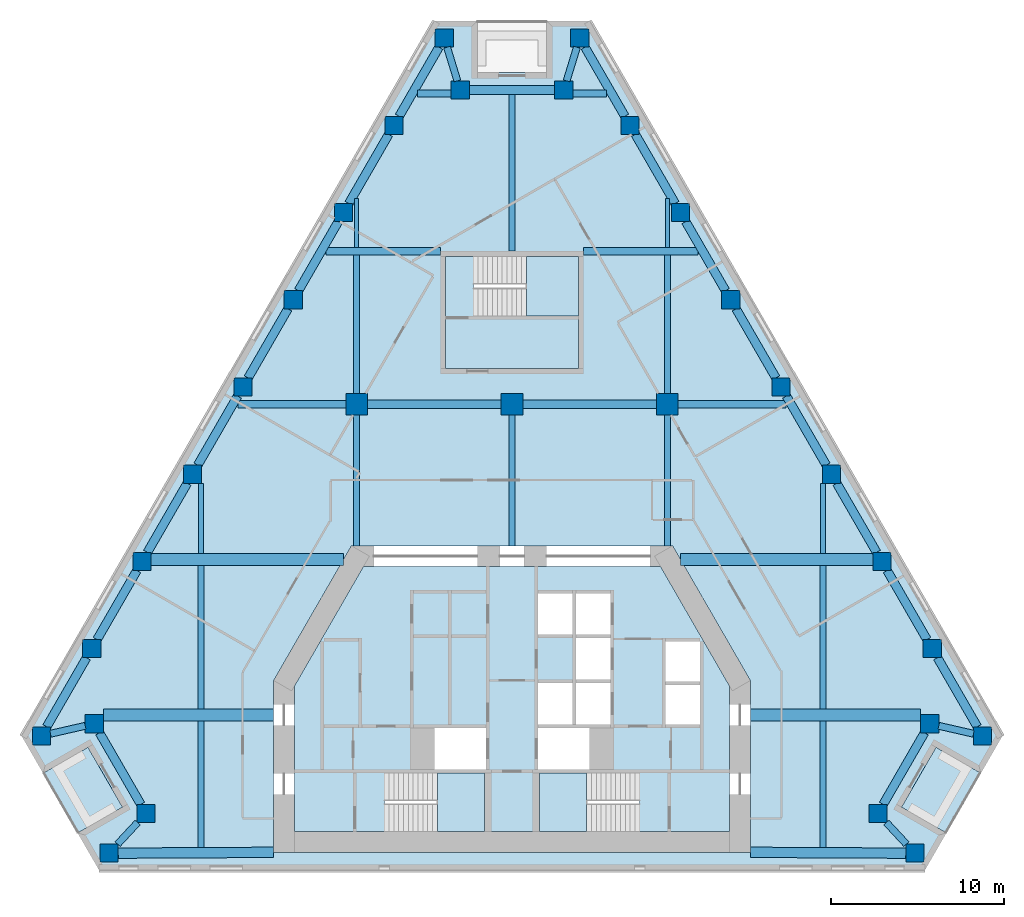
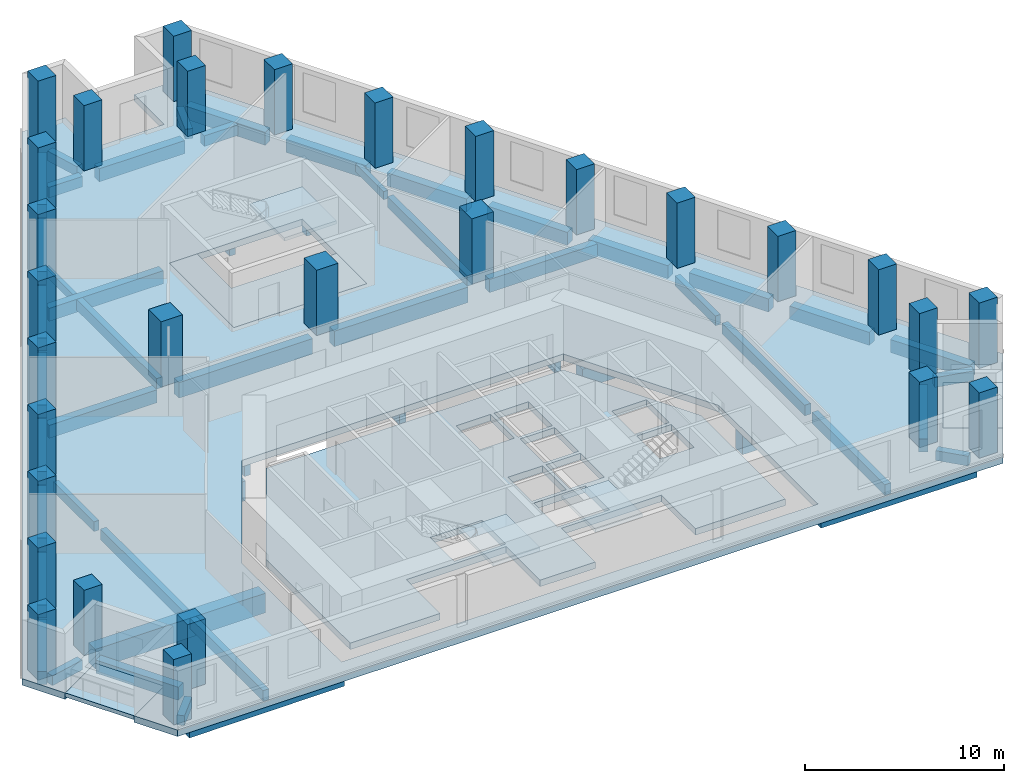
# One storey, part 1 of 7: 53 beams, 29 columns, 8 slabs, 3 elements without a shape of their own.
"""IFC4 building model written with IfcOpenShell, lengths in metres."""

from ifc_helpers import new_model, si_unit, direction, frame, origin, origin_2d, place, context, subcontext, project, spatial, polyline, rectangle, outline, extrude, material, layer, layer_set, material_profile, profile_set, type_object, element, aggregate, save


model = new_model("IFC4")

# Units and contexts
model_context = context("Model", 3, precision=1e-05, world=origin(), true_north=direction((0.0, 1.0)))
body_context = subcontext(model_context, "Body", "Model", "MODEL_VIEW")
ifc_project = project(units=[si_unit("LENGTHUNIT", "METRE"), si_unit("AREAUNIT", "SQUARE_METRE"), si_unit("VOLUMEUNIT", "CUBIC_METRE"), si_unit("PLANEANGLEUNIT", "RADIAN"), si_unit("MASSUNIT", "GRAM", prefix="KILO")], contexts=[model_context])

# Site, building, storey
site_placement = place(None, origin())
site = spatial("IfcSite", under=ifc_project, at=site_placement, CompositionType="ELEMENT")
building_placement = place(site_placement, origin())
building = spatial("IfcBuilding", under=site, at=building_placement, Name="Fogline Exchange Tower", CompositionType="ELEMENT")
storey_placement = place(building_placement, frame((0.0, 0.0, 170.89990234375)))
storey = spatial("IfcBuildingStorey", under=building, at=storey_placement, Name="L38", CompositionType="ELEMENT", Elevation=170.89990234375)

# Columns
ifc_material_1 = material(Name="Concrete C70", Category="concrete")
ifc_material_profile_1 = material_profile(ifc_material_1, rectangle(XDim=1.25, YDim=1.25, at=origin_2d()), Name="RC 1250x1250")
ifc_profile_set_1 = profile_set([ifc_material_profile_1], Name="Concrete C70")
column_type_1 = type_object("IfcColumnType", Name="C03", PredefinedType="COLUMN", material=ifc_profile_set_1)
for number, where, z_axis, x_axis, name in (
    (1, (-9.0, 27.0, 0.0), (0.0, 0.0, 1.0), (1.0, 0.0, 0.0), "IC--9-27"),
    (2, (0.0, 27.0, 0.0), (0.0, 0.0, 1.0), (1.0, 0.0, 0.0), "IC-0-27"),
    (3, (9.0, 27.0, 0.0), (0.0, 0.0, 1.0), (1.0, 0.0, 0.0), "IC-9-27"),
):
    element("IfcColumn", number, at=place(storey_placement, frame(where, z_axis=z_axis, x_axis=x_axis)), inside=storey, type_object=column_type_1, Name=name, PredefinedType="COLUMN", context=body_context, shape_type="SweptSolid", body=[
        extrude(rectangle(XDim=1.25, YDim=1.25, at=origin_2d()), origin(), (0.0, 0.0, 1.0), 4.0),
    ])
ifc_material_profile_2 = material_profile(ifc_material_1, rectangle(XDim=1.050048828125, YDim=1.050048828125, at=origin_2d()), Name="RC 1050x1050")
ifc_profile_set_2 = profile_set([ifc_material_profile_2], Name="Concrete C70")
column_type_2 = type_object("IfcColumnType", Name="C04", PredefinedType="COLUMN", material=ifc_profile_set_2)
for number, where, z_axis, x_axis, name in (
    (4, (-27.2490234375, 7.794189453125, 0.0), (0.0, 0.0, 1.0), (1.0, 0.0, 0.0), "SW-a"),
    (5, (-24.189697265625, 8.4951171875, 0.0), (0.0, 0.0, 1.0), (1.0, 0.0, 0.0), "SW-p4"),
    (6, (-21.189697265625, 3.299072265625, 0.0), (0.0, 0.0, 1.0), (1.0, 0.0, 0.0), "SW-p3"),
    (7, (-23.326416015625, 1.0, 0.0), (0.0, 0.0, 1.0), (1.0, 0.0, 0.0), "SW-b"),
    (8, (23.326416015625, 1.0, 0.0), (0.0, 0.0, 1.0), (1.0, 0.0, 0.0), "SE-a"),
    (9, (21.189697265625, 3.299072265625, 0.0), (0.0, 0.0, 1.0), (1.0, 0.0, 0.0), "SE-p4"),
    (10, (24.189697265625, 8.4951171875, 0.0), (0.0, 0.0, 1.0), (1.0, 0.0, 0.0), "SE-p3"),
    (11, (27.2490234375, 7.794189453125, 0.0), (0.0, 0.0, 1.0), (1.0, 0.0, 0.0), "SE-b"),
    (12, (24.333251953125, 12.844482421875, 0.0), (0.0, 0.0, 1.0), (1.0, 0.0, 0.0), "E1"),
    (13, (21.41748046875, 17.894775390625, 0.0), (0.0, 0.0, 1.0), (1.0, 0.0, 0.0), "E2"),
    (14, (18.501708984375, 22.945068359375, 0.0), (0.0, 0.0, 1.0), (1.0, 0.0, 0.0), "E3"),
    (15, (15.585693359375, 27.995361328125, 0.0), (0.0, 0.0, 1.0), (1.0, 0.0, 0.0), "E4"),
    (16, (12.669921875, 33.045654296875, 0.0), (0.0, 0.0, 1.0), (1.0, 0.0, 0.0), "E5"),
    (17, (9.754150390625, 38.095947265625, 0.0), (0.0, 0.0, 1.0), (1.0, 0.0, 0.0), "E6"),
    (18, (6.83837890625, 43.146240234375, 0.0), (0.0, 0.0, 1.0), (1.0, 0.0, 0.0), "E7"),
    (19, (3.922607421875, 48.19677734375, 0.0), (0.0, 0.0, 1.0), (1.0, 0.0, 0.0), "N-a"),
    (20, (3.0, 45.19677734375, 0.0), (0.0, 0.0, 1.0), (1.0, 0.0, 0.0), "N-p4"),
    (21, (-3.0, 45.19677734375, 0.0), (0.0, 0.0, 1.0), (1.0, 0.0, 0.0), "N-p3"),
    (22, (-3.922607421875, 48.19677734375, 0.0), (0.0, 0.0, 1.0), (1.0, 0.0, 0.0), "N-b"),
    (23, (-6.83837890625, 43.146240234375, 0.0), (0.0, 0.0, 1.0), (1.0, 0.0, 0.0), "W1"),
    (24, (-9.754150390625, 38.095947265625, 0.0), (0.0, 0.0, 1.0), (1.0, 0.0, 0.0), "W2"),
    (25, (-12.669921875, 33.045654296875, 0.0), (0.0, 0.0, 1.0), (1.0, 0.0, 0.0), "W3"),
    (26, (-15.585693359375, 27.995361328125, 0.0), (0.0, 0.0, 1.0), (1.0, 0.0, 0.0), "W4"),
    (27, (-18.501708984375, 22.945068359375, 0.0), (0.0, 0.0, 1.0), (1.0, 0.0, 0.0), "W5"),
    (28, (-21.41748046875, 17.894775390625, 0.0), (0.0, 0.0, 1.0), (1.0, 0.0, 0.0), "W6"),
    (29, (-24.333251953125, 12.844482421875, 0.0), (0.0, 0.0, 1.0), (1.0, 0.0, 0.0), "W7"),
):
    element("IfcColumn", number, at=place(storey_placement, frame(where, z_axis=z_axis, x_axis=x_axis)), inside=storey, type_object=column_type_2, Name=name, PredefinedType="COLUMN", context=body_context, shape_type="SweptSolid", body=[
        extrude(rectangle(XDim=1.050048828125, YDim=1.050048828125, at=origin_2d()), origin(), (0.0, 0.0, 1.0), 4.0),
    ])

# Beams
ifc_material_2 = material(Name="Concrete C40", Category="concrete")
ifc_material_profile_3 = material_profile(ifc_material_2, rectangle(XDim=0.300048828125, YDim=0.60009765625, at=origin_2d()), Name="RC 300x600")
ifc_profile_set_3 = profile_set([ifc_material_profile_3], Name="Concrete C40")
beam_type_1 = type_object("IfcBeamType", Name="B06", PredefinedType="BEAM", material=ifc_profile_set_3)
for number, where, z_axis, x_axis, name in (
    (30, (-18.0, 18.35009765625, -0.699951171875), (0.0, 1.0, 0.0), (-1.0, 0.0, 0.0), "SB003"),
    (31, (18.0, 18.35009765625, -0.699951171875), (0.0, 1.0, 0.0), (-1.0, 0.0, 0.0), "SB014"),
):
    element("IfcBeam", number, at=place(storey_placement, frame(where, z_axis=z_axis, x_axis=x_axis)), inside=storey, type_object=beam_type_1, Name=name, PredefinedType="BEAM", context=body_context, shape_type="SweptSolid", body=[
        extrude(rectangle(XDim=0.300048828125, YDim=0.60009765625, at=origin_2d()), origin(), (0.0, 0.0, 1.0), 4.070068359375),
    ])
ifc_material_profile_4 = material_profile(ifc_material_2, rectangle(XDim=0.25, YDim=0.5, at=origin_2d()), Name="RC 250x500")
ifc_profile_set_4 = profile_set([ifc_material_profile_4], Name="Concrete C40")
beam_type_2 = type_object("IfcBeamType", Name="B08", PredefinedType="BEAM", material=ifc_profile_set_4)
for number, where, z_axis, x_axis, name in (
    (32, (-9.0, 36.08203125, -0.64990234375), (0.0, 1.0, 0.0), (-1.0, 0.0, 0.0), "SB006"),
    (33, (9.0, 36.08203125, -0.64990234375), (0.0, 1.0, 0.0), (-1.0, 0.0, 0.0), "SB011"),
):
    element("IfcBeam", number, at=place(storey_placement, frame(where, z_axis=z_axis, x_axis=x_axis)), inside=storey, type_object=beam_type_2, Name=name, PredefinedType="BEAM", context=body_context, shape_type="SweptSolid", body=[
        extrude(rectangle(XDim=0.25, YDim=0.5, at=origin_2d()), origin(), (0.0, 0.0, 1.0), 2.8203125),
    ])
ifc_material_profile_5 = material_profile(ifc_material_2, rectangle(XDim=0.60009765625, YDim=0.89990234375, at=origin_2d()), Name="RC 600x900")
ifc_profile_set_5 = profile_set([ifc_material_profile_5], Name="Concrete C40")
beam_type_3 = type_object("IfcBeamType", Name="B09", PredefinedType="BEAM", material=ifc_profile_set_5)
for number, where, z_axis, x_axis, name in (
    (34, (-22.801513671875, 1.0, -0.849853515625), (0.999984543136, 0.005559990001, 0.0), (-0.005559990001, 0.999984543136, 0.0), "RB004"),
    (35, (13.800048828125, 1.050048828125, -0.849853515625), (0.999984543136, -0.005559990001, 0.0), (0.005559990001, 0.999984543136, 0.0), "RB005"),
):
    element("IfcBeam", number, at=place(storey_placement, frame(where, z_axis=z_axis, x_axis=x_axis)), inside=storey, type_object=beam_type_3, Name=name, PredefinedType="BEAM", context=body_context, shape_type="SweptSolid", body=[
        extrude(rectangle(XDim=0.60009765625, YDim=0.89990234375, at=origin_2d()), origin(), (0.0, 0.0, 1.0), 9.001708984375),
    ])
ifc_material_profile_6 = material_profile(ifc_material_2, rectangle(XDim=0.5, YDim=0.800048828125, at=origin_2d()), Name="RC 500x800")
ifc_profile_set_6 = profile_set([ifc_material_profile_6], Name="Concrete C40")
beam_type_4 = type_object("IfcBeamType", Name="B10", PredefinedType="BEAM", material=ifc_profile_set_6)
for number, where, z_axis, x_axis, name in (
    (36, (-23.886474609375, 7.97021484375, -0.7998046875), (0.499994660107, -0.866028486751, 0.0), (0.866028486751, 0.499994660107, 0.0), "RB002"),
    (37, (21.49267578125, 3.823974609375, -0.7998046875), (0.499994660107, 0.866028486751, 0.0), (-0.866028486751, 0.499994660107, 0.0), "RB007"),
):
    element("IfcBeam", number, at=place(storey_placement, frame(where, z_axis=z_axis, x_axis=x_axis)), inside=storey, type_object=beam_type_4, Name=name, PredefinedType="BEAM", context=body_context, shape_type="SweptSolid", body=[
        extrude(rectangle(XDim=0.5, YDim=0.800048828125, at=origin_2d()), origin(), (0.0, 0.0, 1.0), 4.78759765625),
    ])
for number, where, z_axis, x_axis, name in (
    (38, (26.94580078125, 8.319091796875, -0.7998046875), (-0.499981705991, 0.866035965578, 0.0), (-0.866035965578, -0.499981705991, 0.0), "RB009"),
    (39, (24.030029296875, 13.369384765625, -0.7998046875), (-0.499981705991, 0.866035965578, 0.0), (-0.866035965578, -0.499981705991, 0.0), "RB010"),
):
    element("IfcBeam", number, at=place(storey_placement, frame(where, z_axis=z_axis, x_axis=x_axis)), inside=storey, type_object=beam_type_4, Name=name, PredefinedType="BEAM", context=body_context, shape_type="SweptSolid", body=[
        extrude(rectangle(XDim=0.5, YDim=0.800048828125, at=origin_2d()), origin(), (0.0, 0.0, 1.0), 4.619384765625),
    ])
for number, where, z_axis, x_axis, name in (
    (40, (21.1142578125, 18.419921875, -0.7998046875), (-0.500004591975, 0.86602275259, 0.0), (-0.86602275259, -0.500004591975, 0.0), "RB011"),
    (41, (18.198486328125, 23.47021484375, -0.7998046875), (-0.500004591975, 0.86602275259, 0.0), (-0.86602275259, -0.500004591975, 0.0), "RB012"),
    (42, (15.28271484375, 28.5205078125, -0.7998046875), (-0.500004591975, 0.86602275259, 0.0), (-0.86602275259, -0.500004591975, 0.0), "RB013"),
    (43, (12.366943359375, 33.57080078125, -0.7998046875), (-0.500004591975, 0.86602275259, 0.0), (-0.86602275259, -0.500004591975, 0.0), "RB014"),
    (44, (9.451171875, 38.62109375, -0.7998046875), (-0.500004591975, 0.86602275259, 0.0), (-0.86602275259, -0.500004591975, 0.0), "RB015"),
    (45, (6.535400390625, 43.67138671875, -0.7998046875), (-0.500004591975, 0.86602275259, 0.0), (-0.86602275259, -0.500004591975, 0.0), "RB016"),
):
    element("IfcBeam", number, at=place(storey_placement, frame(where, z_axis=z_axis, x_axis=x_axis)), inside=storey, type_object=beam_type_4, Name=name, PredefinedType="BEAM", context=body_context, shape_type="SweptSolid", body=[
        extrude(rectangle(XDim=0.5, YDim=0.800048828125, at=origin_2d()), origin(), (0.0, 0.0, 1.0), 4.619140625),
    ])
beam_1_placement = place(storey_placement, frame((2.47509765625, 45.19677734375, -0.7998046875), z_axis=(-1.0, 0.0, 0.0), x_axis=(0.0, -1.0, 0.0)))
element("IfcBeam", 46, at=beam_1_placement, inside=storey, type_object=beam_type_4, Name="RB018", PredefinedType="BEAM", context=body_context, shape_type="SweptSolid", body=[
    extrude(rectangle(XDim=0.5, YDim=0.800048828125, at=origin_2d()), origin(), (0.0, 0.0, 1.0), 4.9501953125),
])
for number, where, z_axis, x_axis, name in (
    (47, (-4.225830078125, 47.671630859375, -0.7998046875), (-0.500004591975, -0.86602275259, 0.0), (0.86602275259, -0.500004591975, 0.0), "RB020"),
    (48, (-7.1416015625, 42.621337890625, -0.7998046875), (-0.500004591975, -0.86602275259, 0.0), (0.86602275259, -0.500004591975, 0.0), "RB021"),
    (49, (-10.057373046875, 37.571044921875, -0.7998046875), (-0.500004591975, -0.86602275259, 0.0), (0.86602275259, -0.500004591975, 0.0), "RB022"),
    (50, (-12.97314453125, 32.520751953125, -0.7998046875), (-0.500004591975, -0.86602275259, 0.0), (0.86602275259, -0.500004591975, 0.0), "RB023"),
    (51, (-15.888916015625, 27.470458984375, -0.7998046875), (-0.500004591975, -0.86602275259, 0.0), (0.86602275259, -0.500004591975, 0.0), "RB024"),
    (52, (-18.8046875, 22.420166015625, -0.7998046875), (-0.500004591975, -0.86602275259, 0.0), (0.86602275259, -0.500004591975, 0.0), "RB025"),
):
    element("IfcBeam", number, at=place(storey_placement, frame(where, z_axis=z_axis, x_axis=x_axis)), inside=storey, type_object=beam_type_4, Name=name, PredefinedType="BEAM", context=body_context, shape_type="SweptSolid", body=[
        extrude(rectangle(XDim=0.5, YDim=0.800048828125, at=origin_2d()), origin(), (0.0, 0.0, 1.0), 4.619140625),
    ])
for number, where, z_axis, x_axis, name in (
    (53, (-21.720458984375, 17.369873046875, -0.7998046875), (-0.499981705991, -0.866035965578, 0.0), (0.866035965578, -0.499981705991, 0.0), "RB026"),
    (54, (-24.63623046875, 12.319580078125, -0.7998046875), (-0.499981705991, -0.866035965578, 0.0), (0.866035965578, -0.499981705991, 0.0), "RB027"),
):
    element("IfcBeam", number, at=place(storey_placement, frame(where, z_axis=z_axis, x_axis=x_axis)), inside=storey, type_object=beam_type_4, Name=name, PredefinedType="BEAM", context=body_context, shape_type="SweptSolid", body=[
        extrude(rectangle(XDim=0.5, YDim=0.800048828125, at=origin_2d()), origin(), (0.0, 0.0, 1.0), 4.619384765625),
    ])
ifc_material_profile_7 = material_profile(ifc_material_2, rectangle(XDim=0.39990234375, YDim=0.60009765625, at=origin_2d()), Name="RC 400x600")
ifc_profile_set_7 = profile_set([ifc_material_profile_7], Name="Concrete C40")
beam_type_5 = type_object("IfcBeamType", Name="B11", PredefinedType="BEAM", material=ifc_profile_set_7)
beam_2_placement = place(storey_placement, frame((-26.72412109375, 7.91455078125, -0.699951171875), z_axis=(0.974739301343, 0.223345683676, 0.0), x_axis=(-0.223345683676, 0.974739301343, 0.0)))
element("IfcBeam", 55, at=beam_2_placement, inside=storey, type_object=beam_type_5, Name="RB001", PredefinedType="BEAM", context=body_context, shape_type="SweptSolid", body=[
    extrude(rectangle(XDim=0.39990234375, YDim=0.60009765625, at=origin_2d()), origin(), (0.0, 0.0, 1.0), 2.0615234375),
])
for number, where, z_axis, x_axis, name in (
    (56, (-21.677490234375, 2.77392578125, -0.699951171875), (-0.680791505026, -0.732477253357, 0.0), (0.732477253357, -0.680791505026, 0.0), "RB003"),
    (57, (22.83837890625, 1.52490234375, -0.699951171875), (-0.680791505026, 0.732477253357, 0.0), (-0.732477253357, -0.680791505026, 0.0), "RB006"),
):
    element("IfcBeam", number, at=place(storey_placement, frame(where, z_axis=z_axis, x_axis=x_axis)), inside=storey, type_object=beam_type_5, Name=name, PredefinedType="BEAM", context=body_context, shape_type="SweptSolid", body=[
        extrude(rectangle(XDim=0.39990234375, YDim=0.60009765625, at=origin_2d()), origin(), (0.0, 0.0, 1.0), 1.705322265625),
    ])
beam_3_placement = place(storey_placement, frame((24.714599609375, 8.375, -0.699951171875), z_axis=(0.974739301343, -0.223345683676, 0.0), x_axis=(0.223345683676, 0.974739301343, 0.0)))
element("IfcBeam", 58, at=beam_3_placement, inside=storey, type_object=beam_type_5, Name="RB008", PredefinedType="BEAM", context=body_context, shape_type="SweptSolid", body=[
    extrude(rectangle(XDim=0.39990234375, YDim=0.60009765625, at=origin_2d()), origin(), (0.0, 0.0, 1.0), 2.0615234375),
])
for number, where, z_axis, x_axis, name in (
    (59, (3.76123046875, 47.671630859375, -0.699951171875), (-0.293917654764, -0.955830744545, 0.0), (0.955830744545, -0.293917654764, 0.0), "RB017"),
    (60, (-3.16162109375, 45.7216796875, -0.699951171875), (-0.293917654764, 0.955830744545, 0.0), (-0.955830744545, -0.293917654764, 0.0), "RB019"),
):
    element("IfcBeam", number, at=place(storey_placement, frame(where, z_axis=z_axis, x_axis=x_axis)), inside=storey, type_object=beam_type_5, Name=name, PredefinedType="BEAM", context=body_context, shape_type="SweptSolid", body=[
        extrude(rectangle(XDim=0.39990234375, YDim=0.60009765625, at=origin_2d()), origin(), (0.0, 0.0, 1.0), 2.0400390625),
    ])
ifc_material_profile_8 = material_profile(ifc_material_2, rectangle(XDim=0.39990234375, YDim=0.64990234375, at=origin_2d()), Name="RC 400x650")
ifc_profile_set_8 = profile_set([ifc_material_profile_8], Name="Concrete C40")
beam_type_6 = type_object("IfcBeamType", Name="B13", PredefinedType="BEAM", material=ifc_profile_set_8)
for number, where, z_axis, x_axis, name in (
    (61, (-5.4794921875, 45.0, -0.724853515625), (1.0, 0.0, 0.0), (0.0, 1.0, 0.0), "GB011"),
    (62, (3.52490234375, 45.0, -0.724853515625), (1.0, 0.0, 0.0), (0.0, 1.0, 0.0), "GB012"),
):
    element("IfcBeam", number, at=place(storey_placement, frame(where, z_axis=z_axis, x_axis=x_axis)), inside=storey, type_object=beam_type_6, Name=name, PredefinedType="BEAM", context=body_context, shape_type="SweptSolid", body=[
        extrude(rectangle(XDim=0.39990234375, YDim=0.64990234375, at=origin_2d()), origin(), (0.0, 0.0, 1.0), 1.95458984375),
    ])
ifc_material_profile_9 = material_profile(ifc_material_2, rectangle(XDim=0.5, YDim=0.949951171875, at=origin_2d()), Name="RC 500x950")
ifc_profile_set_9 = profile_set([ifc_material_profile_9], Name="Concrete C40")
beam_type_7 = type_object("IfcBeamType", Name="B14", PredefinedType="BEAM", material=ifc_profile_set_9)
for number, where, z_axis, x_axis, name in (
    (63, (-8.375, 27.0, -0.875), (1.0, 0.0, 0.0), (0.0, 1.0, 0.0), "GB006"),
    (64, (0.625, 27.0, -0.875), (1.0, 0.0, 0.0), (0.0, 1.0, 0.0), "GB007"),
):
    element("IfcBeam", number, at=place(storey_placement, frame(where, z_axis=z_axis, x_axis=x_axis)), inside=storey, type_object=beam_type_7, Name=name, PredefinedType="BEAM", context=body_context, shape_type="SweptSolid", body=[
        extrude(rectangle(XDim=0.5, YDim=0.949951171875, at=origin_2d()), origin(), (0.0, 0.0, 1.0), 7.75),
    ])
ifc_material_profile_10 = material_profile(ifc_material_2, rectangle(XDim=0.35009765625, YDim=0.64990234375, at=origin_2d()), Name="RC 350x650")
ifc_profile_set_10 = profile_set([ifc_material_profile_10], Name="Concrete C40")
beam_type_8 = type_object("IfcBeamType", Name="B16", PredefinedType="BEAM", material=ifc_profile_set_10)
beam_4_placement = place(storey_placement, frame((-18.0, 1.327880859375, -0.724853515625), z_axis=(0.0, 1.0, 0.0), x_axis=(-1.0, 0.0, 0.0)))
element("IfcBeam", 65, at=beam_4_placement, inside=storey, type_object=beam_type_8, Name="SB001", PredefinedType="BEAM", context=body_context, shape_type="SweptSolid", body=[
    extrude(rectangle(XDim=0.35009765625, YDim=0.64990234375, at=origin_2d()), origin(), (0.0, 0.0, 1.0), 7.322021484375),
])
beam_5_placement = place(storey_placement, frame((-18.0, 9.35009765625, -0.724853515625), z_axis=(0.0, 1.0, 0.0), x_axis=(-1.0, 0.0, 0.0)))
element("IfcBeam", 66, at=beam_5_placement, inside=storey, type_object=beam_type_8, Name="SB002", PredefinedType="BEAM", context=body_context, shape_type="SweptSolid", body=[
    extrude(rectangle(XDim=0.35009765625, YDim=0.64990234375, at=origin_2d()), origin(), (0.0, 0.0, 1.0), 8.2998046875),
])
beam_6_placement = place(storey_placement, frame((-9.0, 18.800048828125, -0.724853515625), z_axis=(0.0, 1.0, 0.0), x_axis=(-1.0, 0.0, 0.0)))
element("IfcBeam", 67, at=beam_6_placement, inside=storey, type_object=beam_type_8, Name="SB004", PredefinedType="BEAM", context=body_context, shape_type="SweptSolid", body=[
    extrude(rectangle(XDim=0.35009765625, YDim=0.64990234375, at=origin_2d()), origin(), (0.0, 0.0, 1.0), 7.574951171875),
])
beam_7_placement = place(storey_placement, frame((-9.0, 27.625, -0.724853515625), z_axis=(0.0, 1.0, 0.0), x_axis=(-1.0, 0.0, 0.0)))
element("IfcBeam", 68, at=beam_7_placement, inside=storey, type_object=beam_type_8, Name="SB005", PredefinedType="BEAM", context=body_context, shape_type="SweptSolid", body=[
    extrude(rectangle(XDim=0.35009765625, YDim=0.64990234375, at=origin_2d()), origin(), (0.0, 0.0, 1.0), 8.007080078125),
])
beam_8_placement = place(storey_placement, frame((0.0, 18.800048828125, -0.724853515625), z_axis=(0.0, 1.0, 0.0), x_axis=(-1.0, 0.0, 0.0)))
element("IfcBeam", 69, at=beam_8_placement, inside=storey, type_object=beam_type_8, Name="SB007", PredefinedType="BEAM", context=body_context, shape_type="SweptSolid", body=[
    extrude(rectangle(XDim=0.35009765625, YDim=0.64990234375, at=origin_2d()), origin(), (0.0, 0.0, 1.0), 7.574951171875),
])
beam_9_placement = place(storey_placement, frame((0.0, 35.85693359375, -0.724853515625), z_axis=(0.0, 1.0, 0.0), x_axis=(-1.0, 0.0, 0.0)))
element("IfcBeam", 70, at=beam_9_placement, inside=storey, type_object=beam_type_8, Name="SB008", PredefinedType="BEAM", context=body_context, shape_type="SweptSolid", body=[
    extrude(rectangle(XDim=0.35009765625, YDim=0.64990234375, at=origin_2d()), origin(), (0.0, 0.0, 1.0), 9.08984375),
])
beam_10_placement = place(storey_placement, frame((9.0, 18.800048828125, -0.724853515625), z_axis=(0.0, 1.0, 0.0), x_axis=(-1.0, 0.0, 0.0)))
element("IfcBeam", 71, at=beam_10_placement, inside=storey, type_object=beam_type_8, Name="SB009", PredefinedType="BEAM", context=body_context, shape_type="SweptSolid", body=[
    extrude(rectangle(XDim=0.35009765625, YDim=0.64990234375, at=origin_2d()), origin(), (0.0, 0.0, 1.0), 7.574951171875),
])
beam_11_placement = place(storey_placement, frame((9.0, 27.625, -0.724853515625), z_axis=(0.0, 1.0, 0.0), x_axis=(-1.0, 0.0, 0.0)))
element("IfcBeam", 72, at=beam_11_placement, inside=storey, type_object=beam_type_8, Name="SB010", PredefinedType="BEAM", context=body_context, shape_type="SweptSolid", body=[
    extrude(rectangle(XDim=0.35009765625, YDim=0.64990234375, at=origin_2d()), origin(), (0.0, 0.0, 1.0), 8.007080078125),
])
beam_12_placement = place(storey_placement, frame((18.0, 1.327880859375, -0.724853515625), z_axis=(0.0, 1.0, 0.0), x_axis=(-1.0, 0.0, 0.0)))
element("IfcBeam", 73, at=beam_12_placement, inside=storey, type_object=beam_type_8, Name="SB012", PredefinedType="BEAM", context=body_context, shape_type="SweptSolid", body=[
    extrude(rectangle(XDim=0.35009765625, YDim=0.64990234375, at=origin_2d()), origin(), (0.0, 0.0, 1.0), 7.322021484375),
])
beam_13_placement = place(storey_placement, frame((18.0, 9.35009765625, -0.724853515625), z_axis=(0.0, 1.0, 0.0), x_axis=(-1.0, 0.0, 0.0)))
element("IfcBeam", 74, at=beam_13_placement, inside=storey, type_object=beam_type_8, Name="SB013", PredefinedType="BEAM", context=body_context, shape_type="SweptSolid", body=[
    extrude(rectangle(XDim=0.35009765625, YDim=0.64990234375, at=origin_2d()), origin(), (0.0, 0.0, 1.0), 8.2998046875),
])
ifc_material_profile_11 = material_profile(ifc_material_2, rectangle(XDim=0.699951171875, YDim=1.199951171875, at=origin_2d()), Name="RC 700x1200")
ifc_profile_set_11 = profile_set([ifc_material_profile_11], Name="Concrete C40")
beam_type_9 = type_object("IfcBeamType", Name="B17", PredefinedType="BEAM", material=ifc_profile_set_11)
for number, where, z_axis, x_axis, name in (
    (75, (-23.66455078125, 9.0, -1.0), (1.0, 0.0, 0.0), (0.0, 1.0, 0.0), "GB001"),
    (76, (13.800048828125, 9.0, -1.0), (1.0, 0.0, 0.0), (0.0, 1.0, 0.0), "GB002"),
):
    element("IfcBeam", number, at=place(storey_placement, frame(where, z_axis=z_axis, x_axis=x_axis)), inside=storey, type_object=beam_type_9, Name=name, PredefinedType="BEAM", context=body_context, shape_type="SweptSolid", body=[
        extrude(rectangle(XDim=0.699951171875, YDim=1.199951171875, at=origin_2d()), origin(), (0.0, 0.0, 1.0), 9.864501953125),
    ])
for number, where, z_axis, x_axis, name in (
    (77, (-20.892333984375, 18.0, -1.0), (1.0, 0.0, 0.0), (0.0, 1.0, 0.0), "GB003"),
    (78, (9.758056640625, 18.0, -1.0), (1.0, 0.0, 0.0), (0.0, 1.0, 0.0), "GB004"),
):
    element("IfcBeam", number, at=place(storey_placement, frame(where, z_axis=z_axis, x_axis=x_axis)), inside=storey, type_object=beam_type_9, Name=name, PredefinedType="BEAM", context=body_context, shape_type="SweptSolid", body=[
        extrude(rectangle(XDim=0.699951171875, YDim=1.199951171875, at=origin_2d()), origin(), (0.0, 0.0, 1.0), 11.13427734375),
    ])
ifc_material_profile_12 = material_profile(ifc_material_2, rectangle(XDim=0.449951171875, YDim=0.800048828125, at=origin_2d()), Name="RC 450x800")
ifc_profile_set_12 = profile_set([ifc_material_profile_12], Name="Concrete C40")
beam_type_10 = type_object("IfcBeamType", Name="B18", PredefinedType="BEAM", material=ifc_profile_set_12)
for number, where, z_axis, x_axis, name in (
    (79, (-15.871826171875, 27.0, -0.7998046875), (1.0, 0.0, 0.0), (0.0, 1.0, 0.0), "GB005"),
    (80, (9.625, 27.0, -0.7998046875), (1.0, 0.0, 0.0), (0.0, 1.0, 0.0), "GB008"),
):
    element("IfcBeam", number, at=place(storey_placement, frame(where, z_axis=z_axis, x_axis=x_axis)), inside=storey, type_object=beam_type_10, Name=name, PredefinedType="BEAM", context=body_context, shape_type="SweptSolid", body=[
        extrude(rectangle(XDim=0.449951171875, YDim=0.800048828125, at=origin_2d()), origin(), (0.0, 0.0, 1.0), 6.246826171875),
    ])
for number, where, z_axis, x_axis, name in (
    (81, (-10.75830078125, 35.85693359375, -0.7998046875), (1.0, 0.0, 0.0), (0.0, 1.0, 0.0), "GB009"),
    (82, (4.14990234375, 35.85693359375, -0.7998046875), (1.0, 0.0, 0.0), (0.0, 1.0, 0.0), "GB010"),
):
    element("IfcBeam", number, at=place(storey_placement, frame(where, z_axis=z_axis, x_axis=x_axis)), inside=storey, type_object=beam_type_10, Name=name, PredefinedType="BEAM", context=body_context, shape_type="SweptSolid", body=[
        extrude(rectangle(XDim=0.449951171875, YDim=0.800048828125, at=origin_2d()), origin(), (0.0, 0.0, 1.0), 6.6083984375),
    ])

# Slabs
ifc_layer_1 = layer(ifc_material_2, 0.25)
ifc_layer_set_1 = layer_set([ifc_layer_1], Name="DK1")
slab_type_1 = type_object("IfcSlabType", Name="DK1", PredefinedType="FLOOR", material=ifc_layer_set_1)
slab_1_placement = place(storey_placement, frame((0.0, 0.0, -0.25)))
element("IfcSlab", 83, at=slab_1_placement, inside=storey, type_object=slab_type_1, Name="Balcony L38 SW", PredefinedType="FLOOR", context=body_context, shape_type="SweptSolid", body=[
    extrude(outline(polyline([(-27.15380859375, 5.629150390625), (-25.15380859375, 2.1650390625), (-22.5556640625, 3.6650390625), (-24.5556640625, 7.129150390625), (-27.15380859375, 5.629150390625)])), origin(), (0.0, 0.0, 1.0), 0.25),
])
slab_2_placement = place(storey_placement, frame((0.0, 0.0, -0.25)))
element("IfcSlab", 84, at=slab_2_placement, inside=storey, type_object=slab_type_1, Name="Balcony L38 SE", PredefinedType="FLOOR", context=body_context, shape_type="SweptSolid", body=[
    extrude(outline(polyline([(25.15380859375, 2.1650390625), (27.15380859375, 5.629150390625), (24.5556640625, 7.129150390625), (22.5556640625, 3.6650390625), (25.15380859375, 2.1650390625)])), origin(), (0.0, 0.0, 1.0), 0.25),
])
ifc_layer_2 = layer(ifc_material_2, 0.39990234375)
ifc_layer_set_2 = layer_set([ifc_layer_2], Name="S03")
slab_type_2 = type_object("IfcSlabType", Name="S03", PredefinedType="FLOOR", material=ifc_layer_set_2)
slab_3_placement = place(storey_placement, frame((0.0, 0.0, -0.39990234375)))
element("IfcSlab", 85, at=slab_3_placement, inside=storey, type_object=slab_type_2, Name="SLAB L38", PredefinedType="FLOOR", context=body_context, shape_type="SweptSolid", body=[
    extrude(outline(polyline([(-2.0, 49.19677734375), (-4.5, 49.19677734375), (-28.40380859375, 7.794189453125), (-27.15380859375, 5.629150390625), (-24.5556640625, 7.129150390625), (-22.5556640625, 3.6650390625), (-25.15380859375, 2.1650390625), (-23.90380859375, 0.0), (23.90380859375, 0.0), (25.15380859375, 2.1650390625), (22.5556640625, 3.6650390625), (24.5556640625, 7.129150390625), (27.15380859375, 5.629150390625), (28.40380859375, 7.794189453125), (4.5, 49.19677734375), (2.0, 49.19677734375), (2.0, 46.19677734375), (-2.0, 46.19677734375), (-2.0, 49.19677734375)]), holes=[polyline([(13.800048828125, 10.9990234375), (13.800048828125, 1.050048828125), (-13.800048828125, 1.050048828125), (-13.800048828125, 10.9990234375), (-9.296142578125, 18.800048828125), (9.296142578125, 18.800048828125), (13.800048828125, 10.9990234375)]), polyline([(3.85009765625, 35.556884765625), (3.85009765625, 29.056884765625), (-3.85009765625, 29.056884765625), (-3.85009765625, 35.556884765625), (3.85009765625, 35.556884765625)])]), origin(), (0.0, 0.0, 1.0), 0.39990234375),
])
slab_4_placement = place(storey_placement, frame((0.0, 0.0, -0.39990234375)))
element("IfcSlab", 86, at=slab_4_placement, inside=storey, type_object=slab_type_2, Name="Core floor slab", PredefinedType="FLOOR", context=body_context, shape_type="SweptSolid", body=[
    extrude(outline(polyline([(-12.60009765625, 2.25), (-12.60009765625, 10.677490234375), (-8.603271484375, 17.60009765625), (8.603271484375, 17.60009765625), (12.60009765625, 10.677490234375), (12.60009765625, 2.25), (7.389892578125, 2.25), (7.389892578125, 5.64990234375), (1.60009765625, 5.64990234375), (1.60009765625, 2.25), (-1.60009765625, 2.25), (-1.60009765625, 5.64990234375), (-7.389892578125, 5.64990234375), (-7.389892578125, 2.25), (-12.60009765625, 2.25)]), holes=[polyline([(-4.5, 8.25), (-4.5, 5.85009765625), (-1.5, 5.85009765625), (-1.5, 8.25), (-4.5, 8.25)]), polyline([(4.5, 8.25), (1.5, 8.25), (1.5, 5.85009765625), (4.5, 5.85009765625), (4.5, 8.25)]), polyline([(3.5, 10.85009765625), (1.5, 10.85009765625), (1.5, 8.449951171875), (3.5, 8.449951171875), (3.5, 10.85009765625)]), polyline([(1.5, 16.050048828125), (1.5, 13.64990234375), (3.5, 13.64990234375), (3.5, 16.050048828125), (1.5, 16.050048828125)]), polyline([(10.89990234375, 10.75), (8.89990234375, 10.75), (8.89990234375, 8.449951171875), (10.89990234375, 8.449951171875), (10.89990234375, 10.75)]), polyline([(5.699951171875, 10.85009765625), (3.699951171875, 10.85009765625), (3.699951171875, 8.449951171875), (5.699951171875, 8.449951171875), (5.699951171875, 10.85009765625)]), polyline([(8.89990234375, 13.25), (8.89990234375, 10.949951171875), (10.89990234375, 10.949951171875), (10.89990234375, 13.25), (8.89990234375, 13.25)]), polyline([(5.699951171875, 13.449951171875), (3.699951171875, 13.449951171875), (3.699951171875, 11.050048828125), (5.699951171875, 11.050048828125), (5.699951171875, 13.449951171875)]), polyline([(5.699951171875, 16.050048828125), (3.699951171875, 16.050048828125), (3.699951171875, 13.64990234375), (5.699951171875, 13.64990234375), (5.699951171875, 16.050048828125)])]), origin(), (0.0, 0.0, 1.0), 0.39990234375),
])
slab_5_placement = place(storey_placement, frame((0.0, 0.0, -0.39990234375)))
element("IfcSlab", 87, at=slab_5_placement, inside=storey, type_object=slab_type_2, Name="Stair enclosure floor slab", PredefinedType="FLOOR", context=body_context, shape_type="SweptSolid", body=[
    extrude(outline(polyline([(3.85009765625, 29.056884765625), (-3.85009765625, 29.056884765625), (-3.85009765625, 35.556884765625), (-2.239990234375, 35.556884765625), (-2.239990234375, 32.10693359375), (3.85009765625, 32.10693359375), (3.85009765625, 29.056884765625)])), origin(), (0.0, 0.0, 1.0), 0.39990234375),
])

# Stair, slab
stair_type = type_object("IfcStairType", Name="STR24-1667", PredefinedType="HALF_TURN_STAIR", material=ifc_material_2)
stair_1_placement = place(storey_placement, origin())
stair_1 = element("IfcStair", 88, at=stair_1_placement, inside=storey, type_object=stair_type, Name="Stair ST1", PredefinedType="HALF_TURN_STAIR")
ifc_layer_3 = layer(ifc_material_2, 0.199951171875)
ifc_layer_set_3 = layer_set([ifc_layer_3], Name="SL200")
slab_type_3 = type_object("IfcSlabType", Name="SL200", PredefinedType="LANDING", material=ifc_layer_set_3)
slab_6_placement = place(storey_placement, frame((0.0, 0.0, 1.800048828125)))
slab_6 = element("IfcSlab", 89, at=slab_6_placement, type_object=slab_type_3, Name="ST1 landing 1", PredefinedType="LANDING", context=body_context, shape_type="SweptSolid", body=[
    extrude(outline(polyline([(-4.320068359375, 2.25), (-1.60009765625, 2.25), (-1.60009765625, 5.64990234375), (-4.320068359375, 5.64990234375), (-4.320068359375, 2.25)])), origin(), (0.0, 0.0, 1.0), 0.199951171875),
])
aggregate(stair_1, [slab_6])

stair_2_placement = place(storey_placement, origin())
stair_2 = element("IfcStair", 90, at=stair_2_placement, inside=storey, type_object=stair_type, Name="Stair ST2", PredefinedType="HALF_TURN_STAIR")
slab_7_placement = place(storey_placement, frame((0.0, 0.0, 1.800048828125)))
slab_7 = element("IfcSlab", 91, at=slab_7_placement, type_object=slab_type_3, Name="ST2 landing 1", PredefinedType="LANDING", context=body_context, shape_type="SweptSolid", body=[
    extrude(outline(polyline([(1.60009765625, 2.25), (4.320068359375, 2.25), (4.320068359375, 5.64990234375), (1.60009765625, 5.64990234375), (1.60009765625, 2.25)])), origin(), (0.0, 0.0, 1.0), 0.199951171875),
])
aggregate(stair_2, [slab_7])

stair_3_placement = place(storey_placement, origin())
stair_3 = element("IfcStair", 92, at=stair_3_placement, inside=storey, type_object=stair_type, Name="Stair ST3", PredefinedType="HALF_TURN_STAIR")
slab_8_placement = place(storey_placement, frame((0.0, 0.0, 1.800048828125)))
slab_8 = element("IfcSlab", 93, at=slab_8_placement, type_object=slab_type_3, Name="ST3 landing 1", PredefinedType="LANDING", context=body_context, shape_type="SweptSolid", body=[
    extrude(outline(polyline([(0.830078125, 32.10693359375), (3.85009765625, 32.10693359375), (3.85009765625, 35.556884765625), (0.830078125, 35.556884765625), (0.830078125, 32.10693359375)])), origin(), (0.0, 0.0, 1.0), 0.199951171875),
])
aggregate(stair_3, [slab_8])

save(model, "model.ifc")
